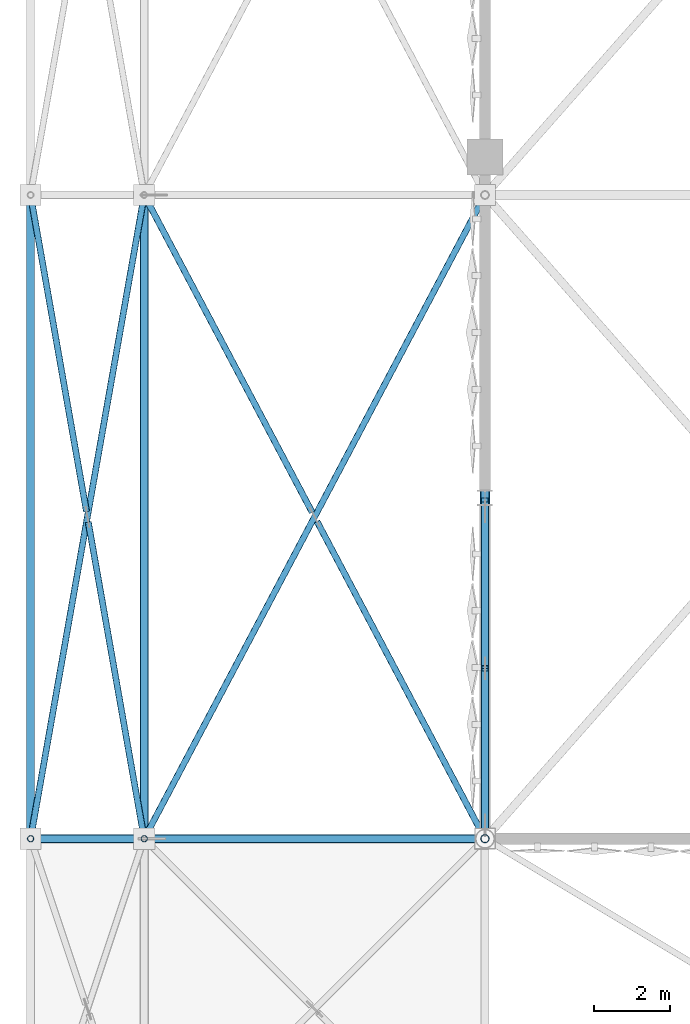
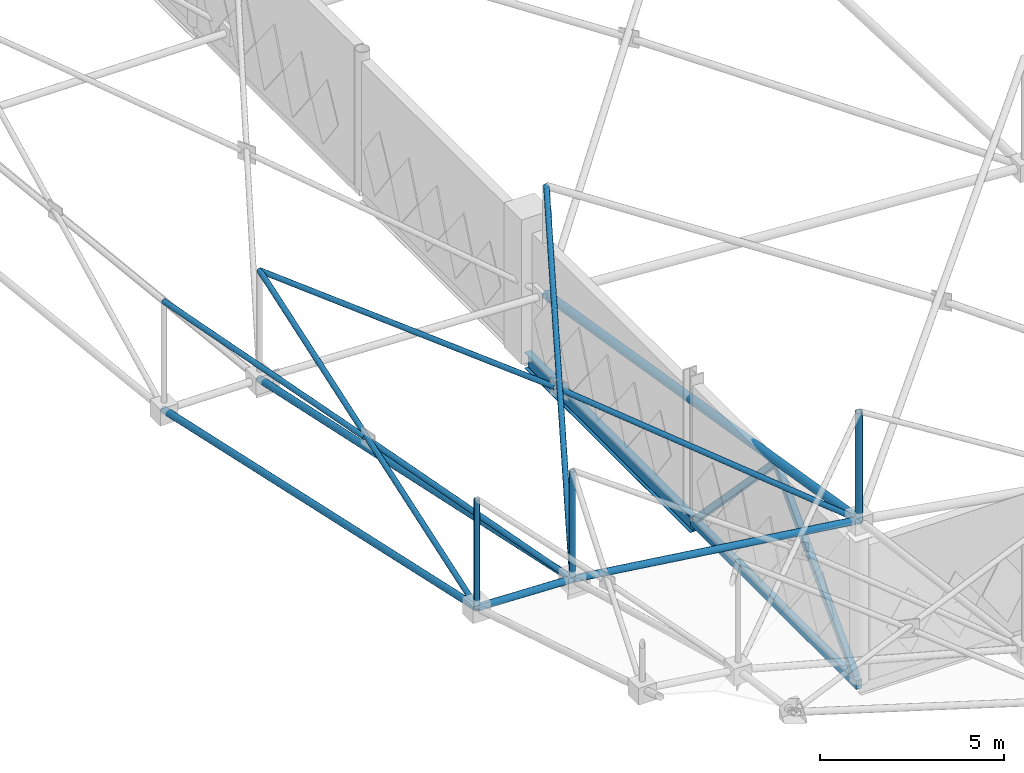
# One storey, part 23 of 224: 16 members, 2 beams.
"""IFC4 building model written with IfcOpenShell, lengths in metres."""

from ifc_helpers import new_model, si_unit, direction, frame, origin, origin_2d, place, context, subcontext, project, spatial, hollow_rectangle, hollow_circle, i_section, extrude, material, material_profile, profile_set, type_object, element, save


model = new_model("IFC4")

# Units and contexts
model_context = context("Model", 3, precision=1e-05, world=origin(), true_north=direction((0.0, 1.0)))
body_context = subcontext(model_context, "Body", "Model", "MODEL_VIEW")
ifc_project = project(units=[si_unit("LENGTHUNIT", "METRE"), si_unit("AREAUNIT", "SQUARE_METRE"), si_unit("VOLUMEUNIT", "CUBIC_METRE"), si_unit("PLANEANGLEUNIT", "RADIAN"), si_unit("MASSUNIT", "GRAM", prefix="KILO")], contexts=[model_context])

# Site, building, storey
site_placement = place(None, origin())
site = spatial("IfcSite", under=ifc_project, at=site_placement, CompositionType="ELEMENT")
building_placement = place(site_placement, origin())
building = spatial("IfcBuilding", under=site, at=building_placement, Name="Qamarlyn Nura Convention Centre", CompositionType="ELEMENT")
storey_placement = place(building_placement, frame((0.0, 0.0, 10.800048828125)))
storey = spatial("IfcBuildingStorey", under=building, at=storey_placement, Name="L02", CompositionType="ELEMENT", Elevation=10.800048828125)

# Beams
ifc_material_1 = material(Name="Steel ASTM A992", Category="steel")
ifc_material_profile_1 = material_profile(ifc_material_1, i_section(OverallWidth=0.2109375, OverallDepth=0.5390625, WebThickness=0.01171875, FlangeThickness=0.018798828125, FilletRadius=0.013916015625, at=origin_2d()), Name="W530X109")
ifc_profile_set_1 = profile_set([ifc_material_profile_1], Name="Steel ASTM A992")
beam_type_1 = type_object("IfcBeamType", Name="BM-SPAN-530", PredefinedType="SPANDREL", material=ifc_profile_set_1)
beam_1_placement = place(storey_placement, frame((0.0, 27.0, -0.26953125), z_axis=(0.0, 1.0, 0.0), x_axis=(-1.0, 0.0, 0.0)))
element("IfcBeam", 1, at=beam_1_placement, inside=storey, type_object=beam_type_1, Name="L02 girder 1 D-E", PredefinedType="SPANDREL", context=body_context, shape_type="SweptSolid", body=[
    extrude(i_section(OverallWidth=0.2109375, OverallDepth=0.5390625, WebThickness=0.01171875, FlangeThickness=0.018798828125, FilletRadius=0.013916015625, at=origin_2d()), origin(), (0.0, 0.0, 1.0), 9.0),
])
ifc_material_2 = material(Name="Steel ASTM A500 Grade C", Category="steel")
ifc_material_profile_2 = material_profile(ifc_material_2, hollow_rectangle(XDim=0.199951171875, YDim=0.300048828125, WallThickness=0.012451171875, InnerFilletRadius=0.012451171875, OuterFilletRadius=0.02490234375, at=origin_2d()), Name="HSS300X200X12.5")
ifc_profile_set_2 = profile_set([ifc_material_profile_2], Name="Steel ASTM A500 Grade C")
beam_type_2 = type_object("IfcBeamType", Name="BM-SPAN-HSS", PredefinedType="SPANDREL", material=ifc_profile_set_2)
beam_2_placement = place(storey_placement, frame((0.0, 18.0, -0.150146484375), z_axis=(0.0, 1.0, 0.0), x_axis=(-1.0, 0.0, 0.0)))
element("IfcBeam", 2, at=beam_2_placement, inside=storey, type_object=beam_type_2, Name="L02 girder 1 C-D", PredefinedType="SPANDREL", context=body_context, shape_type="SweptSolid", body=[
    extrude(hollow_rectangle(XDim=0.199951171875, YDim=0.300048828125, WallThickness=0.012451171875, InnerFilletRadius=0.012451171875, OuterFilletRadius=0.02490234375, at=origin_2d()), origin(), (0.0, 0.0, 1.0), 9.0),
])

# Members
ifc_material_profile_3 = material_profile(ifc_material_2, hollow_rectangle(XDim=0.199951171875, YDim=0.199951171875, WallThickness=0.010009765625, InnerFilletRadius=0.010009765625, OuterFilletRadius=0.02001953125, at=origin_2d()), Name="HSS200X200X10")
ifc_profile_set_3 = profile_set([ifc_material_profile_3], Name="Steel ASTM A500 Grade C")
member_type_1 = type_object("IfcMemberType", Name="CBF-BRC-200", PredefinedType="BRACE", material=ifc_profile_set_3)
for number, where, z_axis, x_axis, name in (
    (3, (0.0, 18.179931640625, 0.0), (0.0, 0.692537530963, 0.721381846325), (-1.0, 0.0, 0.0), "L02 SCBF chevron brace CBF-W1L"),
    (4, (0.0, 26.820068359375, 0.0), (0.0, -0.692537530963, 0.721381846325), (1.0, 0.0, 0.0), "L02 SCBF chevron brace CBF-W1R"),
):
    element("IfcMember", number, at=place(storey_placement, frame(where, z_axis=z_axis, x_axis=x_axis)), inside=storey, type_object=member_type_1, Name=name, PredefinedType="BRACE", context=body_context, shape_type="SweptSolid", body=[
        extrude(hollow_rectangle(XDim=0.199951171875, YDim=0.199951171875, WallThickness=0.010009765625, InnerFilletRadius=0.010009765625, OuterFilletRadius=0.02001953125, at=origin_2d()), origin(), (0.0, 0.0, 1.0), 6.238037109375),
    ])
ifc_material_3 = material(Name="Pearl-white PVDF steel ASTM A500 Grade C", Category="steel")
ifc_material_profile_4 = material_profile(ifc_material_3, hollow_circle(Radius=0.109619140625, WallThickness=0.010009765625, at=origin_2d()), Name="CHS219.1X10")
ifc_profile_set_4 = profile_set([ifc_material_profile_4], Name="Pearl-white PVDF steel ASTM A500 Grade C")
member_type_2 = type_object("IfcMemberType", Name="SF-BC-EAVE", PredefinedType="CHORD", material=ifc_profile_set_4)
member_1_placement = place(storey_placement, frame((-12.0, 18.0, 6.607421875), z_axis=(0.999424686189, 0.0, -0.033916023286), x_axis=(0.0, 1.0, 0.0)))
element("IfcMember", 5, at=member_1_placement, inside=storey, type_object=member_type_2, Name="ROOF TRUSS space frame bottom chord X0-2", PredefinedType="CHORD", context=body_context, shape_type="SweptSolid", body=[
    extrude(hollow_circle(Radius=0.109619140625, WallThickness=0.010009765625, at=origin_2d()), origin(), (0.0, 0.0, 1.0), 3.001708984375),
])
member_2_placement = place(storey_placement, frame((-9.0, 18.0, 6.505615234375), z_axis=(0.991351473464, 0.0, -0.131233593492), x_axis=(0.0, 1.0, 0.0)))
element("IfcMember", 6, at=member_2_placement, inside=storey, type_object=member_type_2, Name="ROOF TRUSS space frame bottom chord X1-2", PredefinedType="CHORD", context=body_context, shape_type="SweptSolid", body=[
    extrude(hollow_circle(Radius=0.109619140625, WallThickness=0.010009765625, at=origin_2d()), origin(), (0.0, 0.0, 1.0), 9.07861328125),
])
member_3_placement = place(storey_placement, frame((-12.0, 18.0, 6.607421875), z_axis=(0.0, 0.976526723381, -0.21539628252), x_axis=(-1.0, 0.0, 0.0)))
element("IfcMember", 7, at=member_3_placement, inside=storey, type_object=member_type_2, Name="ROOF TRUSS space frame bottom chord Y0-2", PredefinedType="CHORD", context=body_context, shape_type="SweptSolid", body=[
    extrude(hollow_circle(Radius=0.109619140625, WallThickness=0.010009765625, at=origin_2d()), origin(), (0.0, 0.0, 1.0), 17.40869140625),
])
member_4_placement = place(storey_placement, frame((-9.0, 18.0, 6.505615234375), z_axis=(0.0, 0.977439000532, -0.211217897533), x_axis=(-1.0, 0.0, 0.0)))
element("IfcMember", 8, at=member_4_placement, inside=storey, type_object=member_type_2, Name="ROOF TRUSS space frame bottom chord Y1-2", PredefinedType="CHORD", context=body_context, shape_type="SweptSolid", body=[
    extrude(hollow_circle(Radius=0.109619140625, WallThickness=0.010009765625, at=origin_2d()), origin(), (0.0, 0.0, 1.0), 17.392333984375),
])
ifc_material_profile_5 = material_profile(ifc_material_3, hollow_circle(Radius=0.136474609375, WallThickness=0.012451171875, at=origin_2d()), Name="CHS273X12.5")
ifc_profile_set_5 = profile_set([ifc_material_profile_5], Name="Pearl-white PVDF steel ASTM A500 Grade C")
member_type_3 = type_object("IfcMemberType", Name="SF-BC-MAIN", PredefinedType="CHORD", material=ifc_profile_set_5)
member_5_placement = place(storey_placement, frame((0.0, 18.0, 5.314208984375), z_axis=(0.0, 0.986419946618, -0.164242774315), x_axis=(-1.0, 0.0, 0.0)))
element("IfcMember", 9, at=member_5_placement, inside=storey, type_object=member_type_3, Name="ROOF TRUSS space frame bottom chord Y2-2", PredefinedType="CHORD", context=body_context, shape_type="SweptSolid", body=[
    extrude(hollow_circle(Radius=0.136474609375, WallThickness=0.012451171875, at=origin_2d()), origin(), (0.0, 0.0, 1.0), 17.234130859375),
])
ifc_material_profile_6 = material_profile(ifc_material_3, hollow_circle(Radius=0.109619140625, WallThickness=0.010009765625, at=origin_2d()), Name="CHS219.1X10")
ifc_profile_set_6 = profile_set([ifc_material_profile_6], Name="Pearl-white PVDF steel ASTM A500 Grade C")
member_type_4 = type_object("IfcMemberType", Name="SF-WEB-HVY", PredefinedType="BRACE", material=ifc_profile_set_6)
member_6_placement = place(storey_placement, frame((0.0, 18.0, 5.314208984375), z_axis=(0.0, 0.0, 1.0), x_axis=(1.0, 0.0, 0.0)))
element("IfcMember", 10, at=member_6_placement, inside=storey, type_object=member_type_4, Name="ROOF TRUSS space frame vertical 2-2", PredefinedType="BRACE", context=body_context, shape_type="SweptSolid", body=[
    extrude(hollow_circle(Radius=0.109619140625, WallThickness=0.010009765625, at=origin_2d()), origin(), (0.0, 0.0, 1.0), 3.599853515625),
])
ifc_material_profile_7 = material_profile(ifc_material_3, hollow_circle(Radius=0.084228515625, WallThickness=0.008056640625, at=origin_2d()), Name="CHS168.3X8")
ifc_profile_set_7 = profile_set([ifc_material_profile_7], Name="Pearl-white PVDF steel ASTM A500 Grade C")
member_type_5 = type_object("IfcMemberType", Name="SF-WEB-STD", PredefinedType="BRACE", material=ifc_profile_set_7)
member_7_placement = place(storey_placement, frame((-12.0, 18.0, 6.607421875), z_axis=(0.0, 0.0, 1.0), x_axis=(1.0, 0.0, 0.0)))
element("IfcMember", 11, at=member_7_placement, inside=storey, type_object=member_type_5, Name="ROOF TRUSS space frame vertical 0-2", PredefinedType="BRACE", context=body_context, shape_type="SweptSolid", body=[
    extrude(hollow_circle(Radius=0.084228515625, WallThickness=0.008056640625, at=origin_2d()), origin(), (0.0, 0.0, 1.0), 3.599853515625),
])
member_8_placement = place(storey_placement, frame((-12.0, 18.0, 6.607421875), z_axis=(0.173776374853, 0.984732790832, -0.010153925549), x_axis=(-0.984783558818, 0.173785333909, 0.0)))
element("IfcMember", 12, at=member_8_placement, inside=storey, type_object=member_type_5, Name="ROOF TRUSS space frame diagonal A 0-2", PredefinedType="BRACE", context=body_context, shape_type="SweptSolid", body=[
    extrude(hollow_circle(Radius=0.084228515625, WallThickness=0.008056640625, at=origin_2d()), origin(), (0.0, 0.0, 1.0), 17.263671875),
])
member_9_placement = place(storey_placement, frame((-9.0, 18.0, 6.505615234375), z_axis=(-0.173777106897, 0.984784859087, -0.000546288059), x_axis=(-0.984785006032, -0.173777132827, 0.0)))
element("IfcMember", 13, at=member_9_placement, inside=storey, type_object=member_type_5, Name="ROOF TRUSS space frame split diagonal B1 0-2", PredefinedType="BRACE", context=body_context, shape_type="SweptSolid", body=[
    extrude(hollow_circle(Radius=0.084228515625, WallThickness=0.008056640625, at=origin_2d()), origin(), (0.0, 0.0, 1.0), 8.4912109375),
])
member_10_placement = place(storey_placement, frame((-10.5244140625, 26.637939453125, 6.500244140625), z_axis=(-0.17377493311, 0.984772540362, -0.005031537607), x_axis=(-0.984785006032, -0.173777132827, 0.0)))
element("IfcMember", 14, at=member_10_placement, inside=storey, type_object=member_type_5, Name="ROOF TRUSS space frame split diagonal B2 0-2", PredefinedType="BRACE", context=body_context, shape_type="SweptSolid", body=[
    extrude(hollow_circle(Radius=0.084228515625, WallThickness=0.008056640625, at=origin_2d()), origin(), (0.0, 0.0, 1.0), 8.491455078125),
])
member_11_placement = place(storey_placement, frame((-9.0, 18.0, 6.505615234375), z_axis=(0.0, 0.0, 1.0), x_axis=(1.0, 0.0, 0.0)))
element("IfcMember", 15, at=member_11_placement, inside=storey, type_object=member_type_5, Name="ROOF TRUSS space frame vertical 1-2", PredefinedType="BRACE", context=body_context, shape_type="SweptSolid", body=[
    extrude(hollow_circle(Radius=0.084228515625, WallThickness=0.008056640625, at=origin_2d()), origin(), (0.0, 0.0, 1.0), 3.60009765625),
])
member_12_placement = place(storey_placement, frame((-9.0, 18.0, 6.505615234375), z_axis=(0.46777522862, 0.883575431837, -0.021926963842), x_axis=(-0.883787916347, 0.467887720419, 0.0)))
element("IfcMember", 16, at=member_12_placement, inside=storey, type_object=member_type_5, Name="ROOF TRUSS space frame diagonal A 1-2", PredefinedType="BRACE", context=body_context, shape_type="SweptSolid", body=[
    extrude(hollow_circle(Radius=0.084228515625, WallThickness=0.008056640625, at=origin_2d()), origin(), (0.0, 0.0, 1.0), 19.239990234375),
])
member_13_placement = place(storey_placement, frame((0.0, 18.0, 5.314208984375), z_axis=(-0.466381598917, 0.880948725987, 0.080109589772), x_axis=(-0.883789169481, -0.46788535338, 0.0)))
element("IfcMember", 17, at=member_13_placement, inside=storey, type_object=member_type_5, Name="ROOF TRUSS space frame split diagonal B1 1-2", PredefinedType="BRACE", context=body_context, shape_type="SweptSolid", body=[
    extrude(hollow_circle(Radius=0.084228515625, WallThickness=0.008056640625, at=origin_2d()), origin(), (0.0, 0.0, 1.0), 9.508544921875),
])
member_14_placement = place(storey_placement, frame((-4.5654296875, 26.62353515625, 6.092041015625), z_axis=(-0.467584435168, 0.883220764733, 0.035859123441), x_axis=(-0.883789169481, -0.46788535338, 0.0)))
element("IfcMember", 18, at=member_14_placement, inside=storey, type_object=member_type_5, Name="ROOF TRUSS space frame split diagonal B2 1-2", PredefinedType="BRACE", context=body_context, shape_type="SweptSolid", body=[
    extrude(hollow_circle(Radius=0.084228515625, WallThickness=0.008056640625, at=origin_2d()), origin(), (0.0, 0.0, 1.0), 9.48388671875),
])

save(model, "model.ifc")
